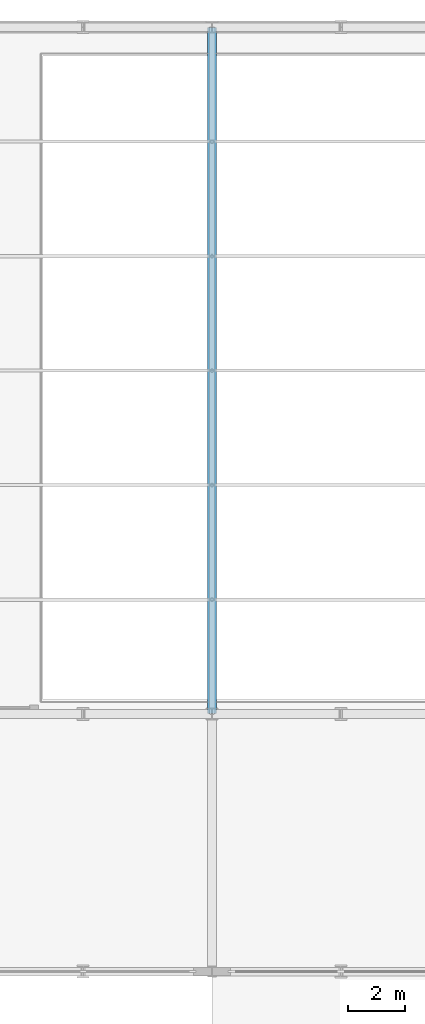
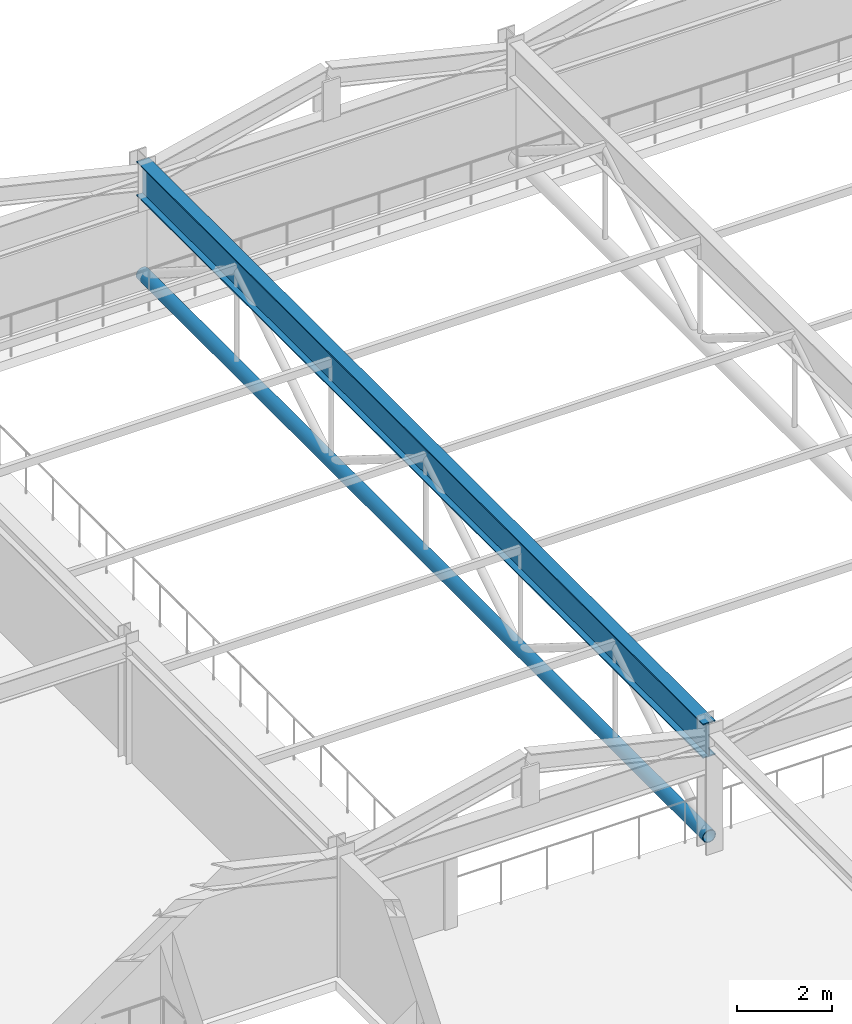
# One storey, part 31 of 91: 1 beam, 1 member.
"""IFC4 building model written with IfcOpenShell, lengths in metres."""

from ifc_helpers import new_model, si_unit, direction, frame, origin, origin_2d, place, context, subcontext, project, spatial, hollow_circle, i_section, extrude, material, material_profile, profile_set, type_object, element, save


model = new_model("IFC4")

# Units and contexts
model_context = context("Model", 3, precision=1e-05, world=origin(), true_north=direction((0.0, 1.0)))
body_context = subcontext(model_context, "Body", "Model", "MODEL_VIEW")
ifc_project = project(units=[si_unit("LENGTHUNIT", "METRE"), si_unit("AREAUNIT", "SQUARE_METRE"), si_unit("VOLUMEUNIT", "CUBIC_METRE"), si_unit("PLANEANGLEUNIT", "RADIAN"), si_unit("MASSUNIT", "GRAM", prefix="KILO")], contexts=[model_context])

# Site, building, storey
site_placement = place(None, origin())
site = spatial("IfcSite", under=ifc_project, at=site_placement, CompositionType="ELEMENT")
building_placement = place(site_placement, origin())
building = spatial("IfcBuilding", under=site, at=building_placement, Name="Palais des Congres Ocreval", CompositionType="ELEMENT")
storey_placement = place(building_placement, frame((0.0, 0.0, 8.159912109375)))
storey = spatial("IfcBuildingStorey", under=building, at=storey_placement, Name="L02", CompositionType="ELEMENT", Elevation=8.159912109375)

# Beam
ifc_material = material(Name="Steel S355", Category="steel")
ifc_material_profile_1 = material_profile(ifc_material, i_section(OverallWidth=0.300048828125, OverallDepth=0.889892578125, WebThickness=0.01611328125, FlangeThickness=0.030029296875, at=origin_2d()), Name="HEA 900")
ifc_profile_set_1 = profile_set([ifc_material_profile_1], Name="Steel S355")
beam_type = type_object("IfcBeamType", Name="Long-Span Girder HEA 900 Steel S355", PredefinedType="BEAM", material=ifc_profile_set_1)
beam_placement = place(storey_placement, frame((18.0, 90.02001953125, 2.7900390625), z_axis=(0.0, 1.0, 0.0), x_axis=(-1.0, 0.0, 0.0)))
element("IfcBeam", 1, at=beam_placement, inside=storey, type_object=beam_type, Name="ROOF TRUSS Top Collector Girder V1-18", PredefinedType="BEAM", context=body_context, shape_type="SweptSolid", body=[
    extrude(i_section(OverallWidth=0.300048828125, OverallDepth=0.889892578125, WebThickness=0.01611328125, FlangeThickness=0.030029296875, at=origin_2d()), origin(), (0.0, 0.0, 1.0), 23.9599609375),
])

# Member
ifc_material_profile_2 = material_profile(ifc_material, hollow_circle(Radius=0.161865234375, WallThickness=0.01611328125, at=origin_2d()), Name="CHS 323.9x16")
ifc_profile_set_2 = profile_set([ifc_material_profile_2], Name="Steel S355")
member_type = type_object("IfcMemberType", Name="ROOF TRUSS Chord CHS 323.9x16 Steel S355", PredefinedType="CHORD", material=ifc_profile_set_2)
member_placement = place(storey_placement, frame((18.0, 90.02001953125, 0.2900390625), z_axis=(0.0, 1.0, 0.0), x_axis=(-1.0, 0.0, 0.0)))
element("IfcMember", 2, at=member_placement, inside=storey, type_object=member_type, Name="ROOF TRUSS Bottom Chord V1-18", PredefinedType="CHORD", context=body_context, shape_type="SweptSolid", body=[
    extrude(hollow_circle(Radius=0.161865234375, WallThickness=0.01611328125, at=origin_2d()), origin(), (0.0, 0.0, 1.0), 23.9599609375),
])

save(model, "model.ifc")
